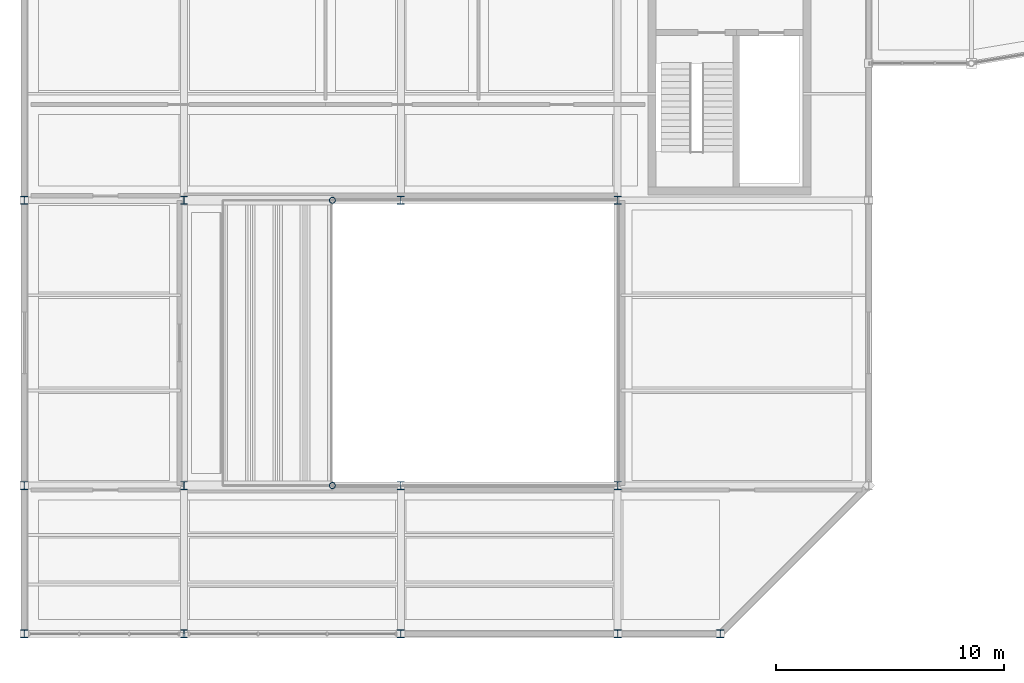
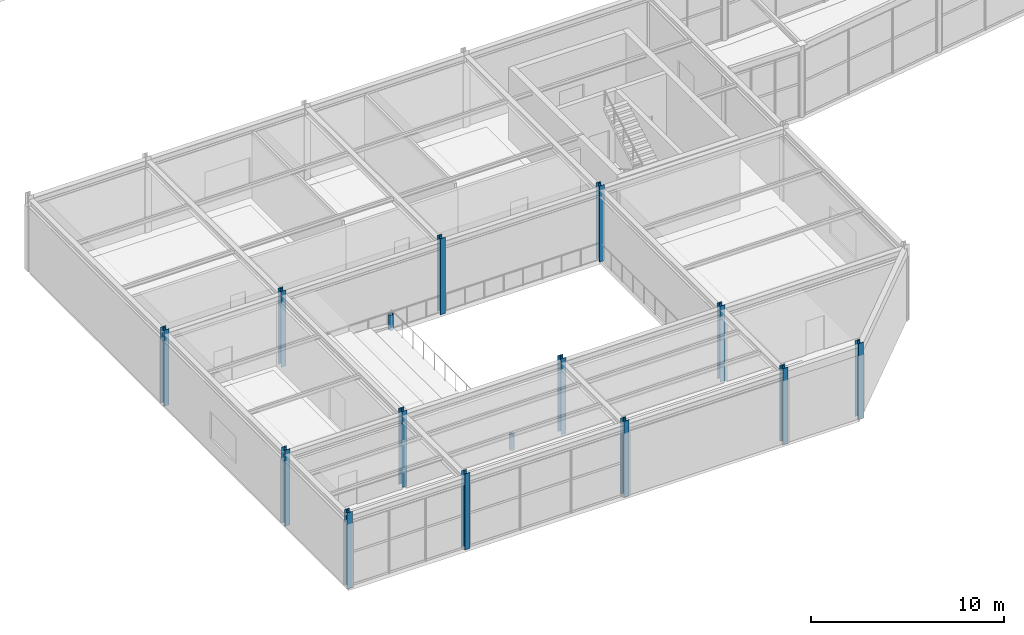
# One storey, part 1 of 100: 15 columns.
"""IFC4 building model written with IfcOpenShell, lengths in metres."""

from ifc_helpers import new_model, si_unit, direction, frame, origin, origin_2d, place, context, subcontext, project, spatial, hollow_circle, i_section, extrude, material, material_profile, profile_set, type_object, element, save


model = new_model("IFC4")

# Units and contexts
model_context = context("Model", 3, precision=1e-05, world=origin(), true_north=direction((0.0, 1.0)))
body_context = subcontext(model_context, "Body", "Model", "MODEL_VIEW")
ifc_project = project(units=[si_unit("LENGTHUNIT", "METRE"), si_unit("AREAUNIT", "SQUARE_METRE"), si_unit("VOLUMEUNIT", "CUBIC_METRE"), si_unit("PLANEANGLEUNIT", "RADIAN"), si_unit("MASSUNIT", "GRAM", prefix="KILO")], contexts=[model_context])

# Site, building, storey
site_placement = place(None, origin())
site = spatial("IfcSite", under=ifc_project, at=site_placement, CompositionType="ELEMENT")
building_placement = place(site_placement, origin())
building = spatial("IfcBuilding", under=site, at=building_placement, Name="Tarnveldt Headland Concert Hall", CompositionType="ELEMENT")
storey_placement = place(building_placement, frame((0.0, 0.0, 4.800048828125)))
storey = spatial("IfcBuildingStorey", under=building, at=storey_placement, Name="L01", CompositionType="ELEMENT", Elevation=4.800048828125)

# Columns
ifc_material = material(Name="Steel S355", Category="steel")
ifc_material_profile_1 = material_profile(ifc_material, hollow_circle(Radius=0.136474609375, WallThickness=0.01611328125, at=origin_2d()), Name="CHS 273x16", Category="steel")
ifc_profile_set_1 = profile_set([ifc_material_profile_1], Name="Steel S355")
column_type_1 = type_object("IfcColumnType", Name="SC-CHS273", PredefinedType="COLUMN", material=ifc_profile_set_1)
for number, where, z_axis, x_axis, name in (
    (1, (21.0, 11.5, 0.0), (0.0, 0.0, 1.0), (1.0, 0.0, 0.0), "Chamber balcony post 1 L01"),
    (2, (21.0, 24.0, 0.0), (0.0, 0.0, 1.0), (1.0, 0.0, 0.0), "Chamber balcony post 2 L01"),
):
    element("IfcColumn", number, at=place(storey_placement, frame(where, z_axis=z_axis, x_axis=x_axis)), inside=storey, type_object=column_type_1, Name=name, PredefinedType="COLUMN", context=body_context, shape_type="SweptSolid", body=[
        extrude(hollow_circle(Radius=0.136474609375, WallThickness=0.01611328125, at=origin_2d()), origin(), (0.0, 0.0, 1.0), 0.9599609375),
    ])
ifc_material_profile_2 = material_profile(ifc_material, i_section(OverallWidth=0.300048828125, OverallDepth=0.35009765625, WebThickness=0.010009765625, FlangeThickness=0.017578125, FilletRadius=0.027099609375, at=origin_2d()), Name="HEA360", Category="steel")
ifc_profile_set_2 = profile_set([ifc_material_profile_2], Name="Steel S355")
column_type_2 = type_object("IfcColumnType", Name="SC-HEA360", PredefinedType="COLUMN", material=ifc_profile_set_2)
for number, where, z_axis, x_axis, name in (
    (3, (7.5, 5.0, 0.0), (0.0, 0.0, 1.0), (1.0, 0.0, 0.0), "Column V4C01 L01"),
    (4, (14.5, 5.0, 0.0), (0.0, 0.0, 1.0), (1.0, 0.0, 0.0), "Column V4C02 L01"),
    (5, (24.0, 5.0, 0.0), (0.0, 0.0, 1.0), (1.0, 0.0, 0.0), "Column V4C03 L01"),
    (6, (33.5, 5.0, 0.0), (0.0, 0.0, 1.0), (1.0, 0.0, 0.0), "Column V4C04 L01"),
    (7, (38.0, 5.0, 0.0), (0.0, 0.0, 1.0), (1.0, 0.0, 0.0), "Column V4C05 L01"),
    (8, (7.5, 24.0, 0.0), (0.0, 0.0, 1.0), (1.0, 0.0, 0.0), "Column V4C13 L01"),
    (9, (7.5, 11.5, 0.0), (0.0, 0.0, 1.0), (1.0, 0.0, 0.0), "Column V4C14 L01"),
    (10, (14.5, 11.5, 0.0), (0.0, 0.0, 1.0), (1.0, 0.0, 0.0), "Column V4C15 L01"),
    (11, (24.0, 11.5, 0.0), (0.0, 0.0, 1.0), (1.0, 0.0, 0.0), "Column V4C16 L01"),
    (12, (33.5, 11.5, 0.0), (0.0, 0.0, 1.0), (1.0, 0.0, 0.0), "Column V4C17 L01"),
    (13, (14.5, 24.0, 0.0), (0.0, 0.0, 1.0), (1.0, 0.0, 0.0), "Column V4C18 L01"),
    (14, (24.0, 24.0, 0.0), (0.0, 0.0, 1.0), (1.0, 0.0, 0.0), "Column V4C19 L01"),
    (15, (33.5, 24.0, 0.0), (0.0, 0.0, 1.0), (1.0, 0.0, 0.0), "Column V4C20 L01"),
):
    element("IfcColumn", number, at=place(storey_placement, frame(where, z_axis=z_axis, x_axis=x_axis)), inside=storey, type_object=column_type_2, Name=name, PredefinedType="COLUMN", context=body_context, shape_type="SweptSolid", body=[
        extrude(i_section(OverallWidth=0.300048828125, OverallDepth=0.35009765625, WebThickness=0.010009765625, FlangeThickness=0.017578125, FilletRadius=0.027099609375, at=origin_2d()), origin(), (0.0, 0.0, 1.0), 4.800048828125),
    ])

save(model, "model.ifc")
